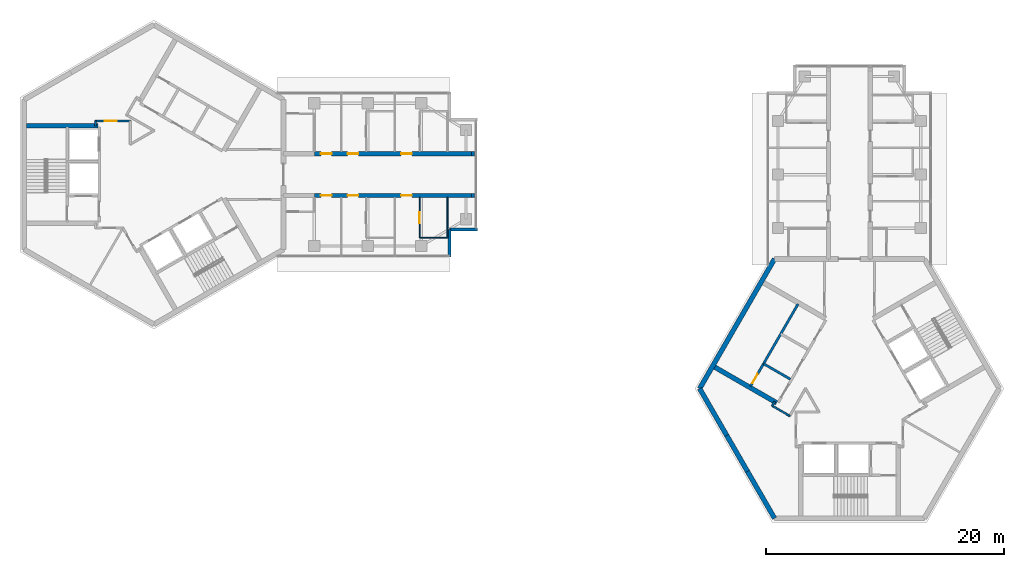
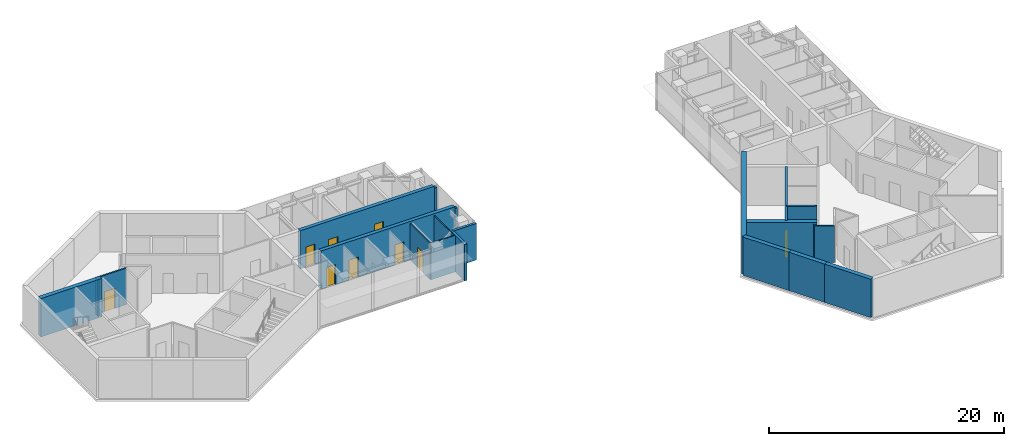
# One storey, part 6 of 11: 21 walls, 9 doors, 9 openings.
"""IFC4 building model written with IfcOpenShell, lengths in metres."""

from ifc_helpers import new_model, si_unit, direction, frame, frame_2d, origin, place, context, subcontext, project, spatial, rectangle, extrude, material, layer, layer_set, type_object, element, fill, save


model = new_model("IFC4")

# Units and contexts
model_context = context("Model", 3, precision=1e-05, world=origin(), true_north=direction((0.0, 1.0)))
body_context = subcontext(model_context, "Body", "Model", "MODEL_VIEW")
ifc_project = project(units=[si_unit("LENGTHUNIT", "METRE"), si_unit("AREAUNIT", "SQUARE_METRE"), si_unit("VOLUMEUNIT", "CUBIC_METRE"), si_unit("PLANEANGLEUNIT", "RADIAN"), si_unit("MASSUNIT", "GRAM", prefix="KILO")], contexts=[model_context])

# Site, building, storey
site_placement = place(None, origin())
site = spatial("IfcSite", under=ifc_project, at=site_placement, CompositionType="ELEMENT")
building_placement = place(site_placement, origin())
building = spatial("IfcBuilding", under=site, at=building_placement, Name="Upepo Twin Towers", CompositionType="ELEMENT")
storey_placement = place(building_placement, frame((0.0, 0.0, 283.5)))
storey = spatial("IfcBuildingStorey", under=building, at=storey_placement, Name="L69", CompositionType="ELEMENT", Elevation=283.5)

# Walls
ifc_material_1 = material(Name="Dense concrete blockwork", Category="masonry")
ifc_layer_1 = layer(ifc_material_1, 0.35009765625)
ifc_layer_set_1 = layer_set([ifc_layer_1], Name="Buttress closer 350, blockwork with fire-stopping to the curtain wall")
wall_type_1 = type_object("IfcWallType", Name="Buttress closer 350, blockwork with fire-stopping to the curtain wall", PredefinedType="PARTITIONING", material=ifc_layer_set_1)
for number, where, z_axis, x_axis, name in (
    (1, (26.699951171875, 1.75, 0.0), (0.0, 0.0, 1.0), (1.0, 0.0, 0.0), "T1 L69 wing A buttress closer L"),
    (2, (26.699951171875, -1.75, 0.0), (0.0, 0.0, 1.0), (1.0, 0.0, 0.0), "T1 L69 wing A buttress closer R"),
):
    element("IfcWall", number, at=place(storey_placement, frame(where, z_axis=z_axis, x_axis=x_axis)), inside=storey, type_object=wall_type_1, Name=name, PredefinedType="PARTITIONING", context=body_context, shape_type="SweptSolid", body=[
        extrude(rectangle(XDim=0.275146484375, YDim=0.35009765625, at=frame_2d((0.1376953125, 0.0))), origin(), (0.0, 0.0, 1.0), 3.800048828125),
    ])

# Wall, openings, doors
ifc_material_2 = material(Name="Concrete C60/75", Category="concrete")
ifc_layer_2 = layer(ifc_material_2, 0.35009765625)
ifc_layer_set_2 = layer_set([ifc_layer_2], Name="Concrete C60/75")
wall_type_2 = type_object("IfcWallType", Name="Buttress wall 350 RC", PredefinedType="SHEAR", material=ifc_layer_set_2)
wall_1_placement = place(storey_placement, frame((13.5, 1.75, 0.0), z_axis=(0.0, 0.0, 1.0), x_axis=(1.0, 0.0, 0.0)))
wall_1 = element("IfcWall", 3, at=wall_1_placement, inside=storey, type_object=wall_type_2, Name="T1 wing A buttress wall L part 2", PredefinedType="SHEAR", context=body_context, shape_type="SweptSolid", body=[
    extrude(rectangle(XDim=13.199951171875, YDim=0.35009765625, at=frame_2d((6.60009765625, 0.0))), origin(), (0.0, 0.0, 1.0), 4.0),
])
opening_1_placement = place(wall_1_placement, frame((0.550048828125, 0.0, 0.0)))
opening_1 = element("IfcOpeningElement", 4, at=opening_1_placement, cuts=wall_1, Name="Opening D11", PredefinedType="OPENING", context=body_context, shape_type="SweptSolid", body=[
    extrude(rectangle(XDim=0.89990234375, YDim=2.10009765625, at=frame_2d((0.449951171875, 1.050048828125))), frame((0.0, 0.18505859375, 0.0), z_axis=(0.0, -1.0, 0.0), x_axis=(1.0, 0.0, 0.0)), (0.0, 0.0, 1.0), 0.3701171875),
])
opening_2_placement = place(wall_1_placement, frame((2.800048828125, 0.0, 0.0)))
opening_2 = element("IfcOpeningElement", 5, at=opening_2_placement, cuts=wall_1, Name="Opening D14", PredefinedType="OPENING", context=body_context, shape_type="SweptSolid", body=[
    extrude(rectangle(XDim=0.89990234375, YDim=2.10009765625, at=frame_2d((0.449951171875, 1.050048828125))), frame((0.0, 0.18505859375, 0.0), z_axis=(0.0, -1.0, 0.0), x_axis=(1.0, 0.0, 0.0)), (0.0, 0.0, 1.0), 0.3701171875),
])
opening_3_placement = place(wall_1_placement, frame((7.300048828125, 0.0, 0.0)))
opening_3 = element("IfcOpeningElement", 6, at=opening_3_placement, cuts=wall_1, Name="Opening D14", PredefinedType="OPENING", context=body_context, shape_type="SweptSolid", body=[
    extrude(rectangle(XDim=0.89990234375, YDim=2.10009765625, at=frame_2d((0.449951171875, 1.050048828125))), frame((0.0, 0.18505859375, 0.0), z_axis=(0.0, -1.0, 0.0), x_axis=(1.0, 0.0, 0.0)), (0.0, 0.0, 1.0), 0.3701171875),
])
ifc_material_3 = material(Name="Timber doorset", Category="wood")
door_type_1 = type_object("IfcDoorType", Name="Office door 900 FD30", OperationType="SINGLE_SWING_LEFT", PredefinedType="DOOR", material=ifc_material_3)
door_1_placement = place(opening_2_placement, origin())
door_1 = element("IfcDoor", 7, at=door_1_placement, inside=storey, type_object=door_type_1, Name="T1 L69 staff office door", OperationType="SINGLE_SWING_LEFT", OverallHeight=2.10009765625, OverallWidth=0.89990234375, PredefinedType="DOOR", context=body_context, shape_type="SweptSolid", body=[
    extrude(rectangle(XDim=0.89990234375, YDim=2.10009765625, at=frame_2d((0.449951171875, 1.050048828125))), frame((0.0, 0.02490234375, 0.0), z_axis=(0.0, -1.0, 0.0), x_axis=(1.0, 0.0, 0.0)), (0.0, 0.0, 1.0), 0.050048828125),
])
fill(opening_2, door_1)
door_2_placement = place(opening_3_placement, origin())
door_2 = element("IfcDoor", 8, at=door_2_placement, inside=storey, type_object=door_type_1, Name="T1 L69 postgraduate office door", OperationType="SINGLE_SWING_RIGHT", OverallHeight=2.10009765625, OverallWidth=0.89990234375, PredefinedType="DOOR", context=body_context, shape_type="SweptSolid", body=[
    extrude(rectangle(XDim=0.89990234375, YDim=2.10009765625, at=frame_2d((0.449951171875, 1.050048828125))), frame((0.0, 0.02490234375, 0.0), z_axis=(0.0, -1.0, 0.0), x_axis=(1.0, 0.0, 0.0)), (0.0, 0.0, 1.0), 0.050048828125),
])
fill(opening_3, door_2)
ifc_material_4 = material(Name="Timber doorset", Category="wood")
door_type_2 = type_object("IfcDoorType", Name="Toilet door 900", OperationType="SINGLE_SWING_LEFT", PredefinedType="DOOR", material=ifc_material_4)
door_3_placement = place(opening_1_placement, origin())
door_3 = element("IfcDoor", 9, at=door_3_placement, inside=storey, type_object=door_type_2, Name="T1 L69 accessible wc door", OperationType="SINGLE_SWING_LEFT", OverallHeight=2.10009765625, OverallWidth=0.89990234375, PredefinedType="DOOR", context=body_context, shape_type="SweptSolid", body=[
    extrude(rectangle(XDim=0.89990234375, YDim=2.10009765625, at=frame_2d((0.449951171875, 1.050048828125))), frame((0.0, 0.02490234375, 0.0), z_axis=(0.0, -1.0, 0.0), x_axis=(1.0, 0.0, 0.0)), (0.0, 0.0, 1.0), 0.050048828125),
])
fill(opening_1, door_3)

wall_2_placement = place(storey_placement, frame((13.5, -1.75, 0.0), z_axis=(0.0, 0.0, 1.0), x_axis=(1.0, 0.0, 0.0)))
wall_2 = element("IfcWall", 10, at=wall_2_placement, inside=storey, type_object=wall_type_2, Name="T1 wing A buttress wall R part 2", PredefinedType="SHEAR", context=body_context, shape_type="SweptSolid", body=[
    extrude(rectangle(XDim=13.199951171875, YDim=0.35009765625, at=frame_2d((6.60009765625, 0.0))), origin(), (0.0, 0.0, 1.0), 4.0),
])
opening_4_placement = place(wall_2_placement, frame((0.550048828125, 0.0, 0.0)))
opening_4 = element("IfcOpeningElement", 11, at=opening_4_placement, cuts=wall_2, Name="Opening D11", PredefinedType="OPENING", context=body_context, shape_type="SweptSolid", body=[
    extrude(rectangle(XDim=0.89990234375, YDim=2.10009765625, at=frame_2d((0.449951171875, 1.050048828125))), frame((0.0, 0.18505859375, 0.0), z_axis=(0.0, -1.0, 0.0), x_axis=(1.0, 0.0, 0.0)), (0.0, 0.0, 1.0), 0.3701171875),
])
opening_5_placement = place(wall_2_placement, frame((2.800048828125, 0.0, 0.0)))
opening_5 = element("IfcOpeningElement", 12, at=opening_5_placement, cuts=wall_2, Name="Opening D14", PredefinedType="OPENING", context=body_context, shape_type="SweptSolid", body=[
    extrude(rectangle(XDim=0.89990234375, YDim=2.10009765625, at=frame_2d((0.449951171875, 1.050048828125))), frame((0.0, 0.18505859375, 0.0), z_axis=(0.0, -1.0, 0.0), x_axis=(1.0, 0.0, 0.0)), (0.0, 0.0, 1.0), 0.3701171875),
])
opening_6_placement = place(wall_2_placement, frame((7.300048828125, 0.0, 0.0)))
opening_6 = element("IfcOpeningElement", 13, at=opening_6_placement, cuts=wall_2, Name="Opening D14", PredefinedType="OPENING", context=body_context, shape_type="SweptSolid", body=[
    extrude(rectangle(XDim=0.89990234375, YDim=2.10009765625, at=frame_2d((0.449951171875, 1.050048828125))), frame((0.0, 0.18505859375, 0.0), z_axis=(0.0, -1.0, 0.0), x_axis=(1.0, 0.0, 0.0)), (0.0, 0.0, 1.0), 0.3701171875),
])
door_4_placement = place(opening_5_placement, origin())
door_4 = element("IfcDoor", 14, at=door_4_placement, inside=storey, type_object=door_type_1, Name="T1 L69 meeting room door", OperationType="SINGLE_SWING_LEFT", OverallHeight=2.10009765625, OverallWidth=0.89990234375, PredefinedType="DOOR", context=body_context, shape_type="SweptSolid", body=[
    extrude(rectangle(XDim=0.89990234375, YDim=2.10009765625, at=frame_2d((0.449951171875, 1.050048828125))), frame((0.0, 0.02490234375, 0.0), z_axis=(0.0, -1.0, 0.0), x_axis=(1.0, 0.0, 0.0)), (0.0, 0.0, 1.0), 0.050048828125),
])
fill(opening_5, door_4)
door_5_placement = place(opening_6_placement, origin())
door_5 = element("IfcDoor", 15, at=door_5_placement, inside=storey, type_object=door_type_1, Name="T1 L69 staff office door", OperationType="SINGLE_SWING_RIGHT", OverallHeight=2.10009765625, OverallWidth=0.89990234375, PredefinedType="DOOR", context=body_context, shape_type="SweptSolid", body=[
    extrude(rectangle(XDim=0.89990234375, YDim=2.10009765625, at=frame_2d((0.449951171875, 1.050048828125))), frame((0.0, 0.02490234375, 0.0), z_axis=(0.0, -1.0, 0.0), x_axis=(1.0, 0.0, 0.0)), (0.0, 0.0, 1.0), 0.050048828125),
])
fill(opening_6, door_5)
door_6_placement = place(opening_4_placement, origin())
door_6 = element("IfcDoor", 16, at=door_6_placement, inside=storey, type_object=door_type_2, Name="T1 L69 toilets door", OperationType="SINGLE_SWING_LEFT", OverallHeight=2.10009765625, OverallWidth=0.89990234375, PredefinedType="DOOR", context=body_context, shape_type="SweptSolid", body=[
    extrude(rectangle(XDim=0.89990234375, YDim=2.10009765625, at=frame_2d((0.449951171875, 1.050048828125))), frame((0.0, 0.02490234375, 0.0), z_axis=(0.0, -1.0, 0.0), x_axis=(1.0, 0.0, 0.0)), (0.0, 0.0, 1.0), 0.050048828125),
])
fill(opening_4, door_6)

# Walls
ifc_material_5 = material(Name="Concrete C60/75", Category="concrete")
ifc_layer_3 = layer(ifc_material_5, 0.39990234375)
ifc_layer_set_3 = layer_set([ifc_layer_3], Name="Concrete C60/75")
wall_type_3 = type_object("IfcWallType", Name="Core wall 400 RC", PredefinedType="SHEAR", material=ifc_layer_set_3)
wall_3_placement = place(storey_placement, frame((52.2021484375, -7.091552734375, 0.0), z_axis=(0.0, 0.0, 1.0), x_axis=(-0.500005998175, -0.866021940709, 0.0)))
element("IfcWall", 17, at=wall_3_placement, inside=storey, type_object=wall_type_3, Name="T2 core wall 060", PredefinedType="SHEAR", context=body_context, shape_type="SweptSolid", body=[
    extrude(rectangle(XDim=12.595947265625, YDim=0.39990234375, at=frame_2d((6.2978515625, 0.0))), origin(), (0.0, 0.0, 1.0), 4.0),
])
wall_4_placement = place(storey_placement, frame((45.904052734375, -18.0, 0.0), z_axis=(0.0, 0.0, 1.0), x_axis=(0.500024481964, -0.866011268655, 0.0)))
element("IfcWall", 18, at=wall_4_placement, inside=storey, type_object=wall_type_3, Name="T2 core wall 120 R", PredefinedType="SHEAR", context=body_context, shape_type="SweptSolid", body=[
    extrude(rectangle(XDim=4.548095703125, YDim=0.39990234375, at=frame_2d((2.27392578125, 0.0))), origin(), (0.0, 0.0, 1.0), 4.0),
])
wall_5_placement = place(storey_placement, frame((48.17822265625, -21.938720703125, 0.0), z_axis=(0.0, 0.0, 1.0), x_axis=(0.500010275428, -0.866019471182, 0.0)))
element("IfcWall", 19, at=wall_5_placement, inside=storey, type_object=wall_type_3, Name="T2 core wall 120", PredefinedType="SHEAR", context=body_context, shape_type="SweptSolid", body=[
    extrude(rectangle(XDim=3.5, YDim=0.39990234375, at=frame_2d((1.75, 0.0))), origin(), (0.0, 0.0, 1.0), 4.0),
])
wall_6_placement = place(storey_placement, frame((49.92822265625, -24.9697265625, 0.0), z_axis=(0.0, 0.0, 1.0), x_axis=(0.499984222037, -0.866034513004, 0.0)))
element("IfcWall", 20, at=wall_6_placement, inside=storey, type_object=wall_type_3, Name="T2 core wall 120 L", PredefinedType="SHEAR", context=body_context, shape_type="SweptSolid", body=[
    extrude(rectangle(XDim=4.548095703125, YDim=0.39990234375, at=frame_2d((2.27392578125, 0.0))), origin(), (0.0, 0.0, 1.0), 4.0),
])
ifc_material_6 = material(Name="Blockwork with anodised aluminium cladding", Category="masonry")
ifc_layer_4 = layer(ifc_material_6, 0.25)
ifc_layer_set_4 = layer_set([ifc_layer_4], Name="Notch cladding wall 250, pale metal")
wall_type_4 = type_object("IfcWallType", Name="Notch cladding wall 250, pale metal", PredefinedType="STANDARD", material=ifc_layer_set_4)
for number, where, z_axis, x_axis, name in (
    (21, (24.875, -6.949951171875, 0.0), (0.0, 0.0, 1.0), (0.0, 1.0, 0.0), "T1 L69 wing A notch wall R1"),
    (22, (24.875, -4.625, 0.0), (0.0, 0.0, 1.0), (1.0, 0.0, 0.0), "T1 L69 wing A notch wall R2"),
):
    element("IfcWall", number, at=place(storey_placement, frame(where, z_axis=z_axis, x_axis=x_axis)), inside=storey, type_object=wall_type_4, Name=name, PredefinedType="STANDARD", context=body_context, shape_type="SweptSolid", body=[
        extrude(rectangle(XDim=2.324951171875, YDim=0.25, at=frame_2d((1.16259765625, 0.0))), origin(), (0.0, 0.0, 1.0), 3.800048828125),
    ])
ifc_material_7 = material(Name="Gypsum board on steel studs", Category="steel")
ifc_layer_5 = layer(ifc_material_7, 0.10009765625)
ifc_layer_set_5 = layer_set([ifc_layer_5], Name="Office partition 100 stud")
wall_type_5 = type_object("IfcWallType", Name="Office partition 100 stud", PredefinedType="PARTITIONING", material=ifc_layer_set_5)
wall_7_placement = place(storey_placement, frame((22.35009765625, -5.324951171875, 0.0), z_axis=(0.0, 0.0, 1.0), x_axis=(1.0, 0.0, 0.0)))
element("IfcWall", 23, at=wall_7_placement, inside=storey, type_object=wall_type_5, Name="T1 inner room partition AR at 22.35", PredefinedType="PARTITIONING", context=body_context, shape_type="SweptSolid", body=[
    extrude(rectangle(XDim=2.39990234375, YDim=0.10009765625, at=frame_2d((1.199951171875, 0.0))), origin(), (0.0, 0.0, 1.0), 3.800048828125),
])

# Wall, opening, door
wall_8_placement = place(storey_placement, frame((22.35009765625, -1.925048828125, 0.0), z_axis=(0.0, 0.0, 1.0), x_axis=(0.0, -1.0, 0.0)))
wall_8 = element("IfcWall", 24, at=wall_8_placement, inside=storey, type_object=wall_type_5, Name="T1 inner room partition AR end at 22.35", PredefinedType="PARTITIONING", context=body_context, shape_type="SweptSolid", body=[
    extrude(rectangle(XDim=3.39990234375, YDim=0.10009765625, at=frame_2d((1.699951171875, 0.0))), origin(), (0.0, 0.0, 1.0), 3.800048828125),
])
opening_7_placement = place(wall_8_placement, frame((1.25, 0.0, 0.0)))
opening_7 = element("IfcOpeningElement", 25, at=opening_7_placement, cuts=wall_8, Name="Opening D14", PredefinedType="OPENING", context=body_context, shape_type="SweptSolid", body=[
    extrude(rectangle(XDim=0.89990234375, YDim=2.10009765625, at=frame_2d((0.449951171875, 1.050048828125))), frame((0.0, 0.06005859375, 0.0), z_axis=(0.0, -1.0, 0.0), x_axis=(1.0, 0.0, 0.0)), (0.0, 0.0, 1.0), 0.1201171875),
])
door_7_placement = place(opening_7_placement, origin())
door_7 = element("IfcDoor", 26, at=door_7_placement, inside=storey, type_object=door_type_1, Name="T1 L69 inner room door", OperationType="SINGLE_SWING_LEFT", OverallHeight=2.10009765625, OverallWidth=0.89990234375, PredefinedType="DOOR", context=body_context, shape_type="SweptSolid", body=[
    extrude(rectangle(XDim=0.89990234375, YDim=2.10009765625, at=frame_2d((0.449951171875, 1.050048828125))), frame((0.0, 0.02490234375, 0.0), z_axis=(0.0, -1.0, 0.0), x_axis=(1.0, 0.0, 0.0)), (0.0, 0.0, 1.0), 0.050048828125),
])
fill(opening_7, door_7)

# Walls
wall_9_placement = place(storey_placement, frame((24.699951171875, -1.925048828125, 0.0), z_axis=(0.0, 0.0, 1.0), x_axis=(0.0, -1.0, 0.0)))
element("IfcWall", 27, at=wall_9_placement, inside=storey, type_object=wall_type_5, Name="T1 inner room partition AR end at 24.75", PredefinedType="PARTITIONING", context=body_context, shape_type="SweptSolid", body=[
    extrude(rectangle(XDim=3.39990234375, YDim=0.10009765625, at=frame_2d((1.699951171875, 0.0))), origin(), (0.0, 0.0, 1.0), 3.800048828125),
])
ifc_material_8 = material(Name="Concrete C40/50", Category="concrete")
ifc_layer_6 = layer(ifc_material_8, 0.199951171875)
ifc_layer_set_6 = layer_set([ifc_layer_6], Name="Concrete C40/50")
wall_type_6 = type_object("IfcWallType", Name="Shaft wall 200 RC", PredefinedType="SHEAR", material=ifc_layer_set_6)
wall_10_placement = place(storey_placement, frame((53.52978515625, -17.208740234375, 0.0), z_axis=(0.0, 0.0, 1.0), x_axis=(-0.866062058628, 0.499936506574, 0.0)))
element("IfcWall", 28, at=wall_10_placement, inside=storey, type_object=wall_type_6, Name="T2 core W60 lobby wall", PredefinedType="SHEAR", context=body_context, shape_type="SweptSolid", body=[
    extrude(rectangle(XDim=2.599853515625, YDim=0.199951171875, at=frame_2d((1.2998046875, 0.0))), origin(), (0.0, 0.0, 1.0), 4.0),
])

# Wall, opening, door
wall_11_placement = place(storey_placement, frame((54.177978515625, -10.885986328125, 0.0), z_axis=(0.0, 0.0, 1.0), x_axis=(-0.49999894854, -0.866026010844, 0.0)))
wall_11 = element("IfcWall", 29, at=wall_11_placement, inside=storey, type_object=wall_type_6, Name="T2 core W60 stair wall", PredefinedType="SHEAR", context=body_context, shape_type="SweptSolid", body=[
    extrude(rectangle(XDim=8.0, YDim=0.199951171875, at=frame_2d((4.0, 0.0))), origin(), (0.0, 0.0, 1.0), 4.0),
])
opening_8_placement = place(wall_11_placement, frame((6.800048828125, 0.0, 0.0)))
opening_8 = element("IfcOpeningElement", 30, at=opening_8_placement, cuts=wall_11, Name="Opening D9", PredefinedType="OPENING", context=body_context, shape_type="SweptSolid", body=[
    extrude(rectangle(XDim=0.89990234375, YDim=2.10009765625, at=frame_2d((0.449951171875, 1.050048828125))), frame((0.0, 0.10986328125, 0.0), z_axis=(0.0, -1.0, 0.0), x_axis=(1.0, 0.0, 0.0)), (0.0, 0.0, 1.0), 0.219970703125),
])
ifc_material_9 = material(Name="Timber doorset", Category="wood")
door_type_3 = type_object("IfcDoorType", Name="Riser door 900 FD60", OperationType="SINGLE_SWING_LEFT", PredefinedType="DOOR", material=ifc_material_9)
door_8_placement = place(opening_8_placement, origin())
door_8 = element("IfcDoor", 31, at=door_8_placement, inside=storey, type_object=door_type_3, Name="T2 L69 riser door", OperationType="SINGLE_SWING_RIGHT", OverallHeight=2.10009765625, OverallWidth=0.89990234375, PredefinedType="DOOR", context=body_context, shape_type="SweptSolid", body=[
    extrude(rectangle(XDim=0.89990234375, YDim=2.10009765625, at=frame_2d((0.449951171875, 1.050048828125))), frame((0.0, 0.02490234375, 0.0), z_axis=(0.0, -1.0, 0.0), x_axis=(1.0, 0.0, 0.0)), (0.0, 0.0, 1.0), 0.050048828125),
])
fill(opening_8, door_8)

# Walls
ifc_material_10 = material(Name="Concrete C40/50", Category="concrete")
ifc_layer_7 = layer(ifc_material_10, 0.39990234375)
ifc_layer_set_7 = layer_set([ifc_layer_7], Name="Concrete C40/50")
wall_type_7 = type_object("IfcWallType", Name="Shaft wall 400 RC", PredefinedType="SHEAR", material=ifc_layer_set_7)
for number, where, z_axis, x_axis, name in (
    (32, (-4.699951171875, 4.10009765625, 0.0), (0.0, 0.0, 1.0), (-1.0, 0.0, 0.0), "T1 core W180 side wall S"),
    (33, (52.379638671875, -19.20068359375, 0.0), (0.0, 0.0, 1.0), (-0.866026570101, 0.499997979876, 0.0), "T2 core W60 side wall N"),
):
    element("IfcWall", number, at=place(storey_placement, frame(where, z_axis=z_axis, x_axis=x_axis)), inside=storey, type_object=wall_type_7, Name=name, PredefinedType="SHEAR", context=body_context, shape_type="SweptSolid", body=[
        extrude(rectangle(XDim=6.00830078125, YDim=0.39990234375, at=frame_2d((3.004150390625, 0.0))), origin(), (0.0, 0.0, 1.0), 4.0),
    ])
ifc_material_11 = material(Name="Gypsum board on steel studs", Category="steel")
ifc_layer_8 = layer(ifc_material_11, 0.14990234375)
ifc_layer_set_8 = layer_set([ifc_layer_8], Name="Teaching partition 150 acoustic")
wall_type_8 = type_object("IfcWallType", Name="Teaching partition 150 acoustic", PredefinedType="PARTITIONING", material=ifc_layer_set_8)
wall_12_placement = place(storey_placement, frame((-4.89990234375, 4.090087890625, 0.0), z_axis=(0.0, 0.0, 1.0), x_axis=(0.0, 1.0, 0.0)))
element("IfcWall", 34, at=wall_12_placement, inside=storey, type_object=wall_type_8, Name="T1 core room partition 4", PredefinedType="PARTITIONING", context=body_context, shape_type="SweptSolid", body=[
    extrude(rectangle(XDim=0.429931640625, YDim=0.14990234375, at=frame_2d((0.21484375, 0.0))), origin(), (0.0, 0.0, 1.0), 3.800048828125),
])

# Wall, opening, door
wall_13_placement = place(storey_placement, frame((-4.919921875, 4.5, 0.0), z_axis=(0.0, 0.0, 1.0), x_axis=(1.0, 0.0, 0.0)))
wall_13 = element("IfcWall", 35, at=wall_13_placement, inside=storey, type_object=wall_type_8, Name="T1 core room partition 5", PredefinedType="PARTITIONING", context=body_context, shape_type="SweptSolid", body=[
    extrude(rectangle(XDim=2.96484375, YDim=0.14990234375, at=frame_2d((1.482421875, 0.0))), origin(), (0.0, 0.0, 1.0), 3.800048828125),
])
opening_9_placement = place(wall_13_placement, frame((0.800048828125, 0.0, 0.0)))
opening_9 = element("IfcOpeningElement", 36, at=opening_9_placement, cuts=wall_13, Name="Opening D1", PredefinedType="OPENING", context=body_context, shape_type="SweptSolid", body=[
    extrude(rectangle(XDim=1.0, YDim=2.10009765625, at=frame_2d((0.5, 1.050048828125))), frame((0.0, 0.0849609375, 0.0), z_axis=(0.0, -1.0, 0.0), x_axis=(1.0, 0.0, 0.0)), (0.0, 0.0, 1.0), 0.169921875),
])
ifc_material_12 = material(Name="Timber doorset", Category="wood")
door_type_4 = type_object("IfcDoorType", Name="Room door 1000 FD30", OperationType="SINGLE_SWING_LEFT", PredefinedType="DOOR", material=ifc_material_12)
door_9_placement = place(opening_9_placement, origin())
door_9 = element("IfcDoor", 37, at=door_9_placement, inside=storey, type_object=door_type_4, Name="T1 L69 core room door K5", OperationType="SINGLE_SWING_LEFT", OverallHeight=2.10009765625, OverallWidth=1.0, PredefinedType="DOOR", context=body_context, shape_type="SweptSolid", body=[
    extrude(rectangle(XDim=1.0, YDim=2.10009765625, at=frame_2d((0.5, 1.050048828125))), frame((0.0, 0.02490234375, 0.0), z_axis=(0.0, -1.0, 0.0), x_axis=(1.0, 0.0, 0.0)), (0.0, 0.0, 1.0), 0.050048828125),
])
fill(opening_9, door_9)

# Walls
wall_14_placement = place(storey_placement, frame((53.49609375, -20.30712890625, 0.0), z_axis=(0.0, 0.0, 1.0), x_axis=(-0.865989304205, 0.500062521093, 0.0)))
element("IfcWall", 38, at=wall_14_placement, inside=storey, type_object=wall_type_8, Name="T2 core room partition 7", PredefinedType="PARTITIONING", context=body_context, shape_type="SweptSolid", body=[
    extrude(rectangle(XDim=1.739990234375, YDim=0.14990234375, at=frame_2d((0.8701171875, 0.0))), origin(), (0.0, 0.0, 1.0), 3.800048828125),
])
wall_15_placement = place(storey_placement, frame((51.99658203125, -19.46435546875, 0.0), z_axis=(0.0, 0.0, 1.0), x_axis=(0.499804398801, 0.866138304741, 0.0)))
element("IfcWall", 39, at=wall_15_placement, inside=storey, type_object=wall_type_8, Name="T2 core room partition 8", PredefinedType="PARTITIONING", context=body_context, shape_type="SweptSolid", body=[
    extrude(rectangle(XDim=0.429931640625, YDim=0.14990234375, at=frame_2d((0.21484375, 0.0))), origin(), (0.0, 0.0, 1.0), 3.800048828125),
])

save(model, "model.ifc")
